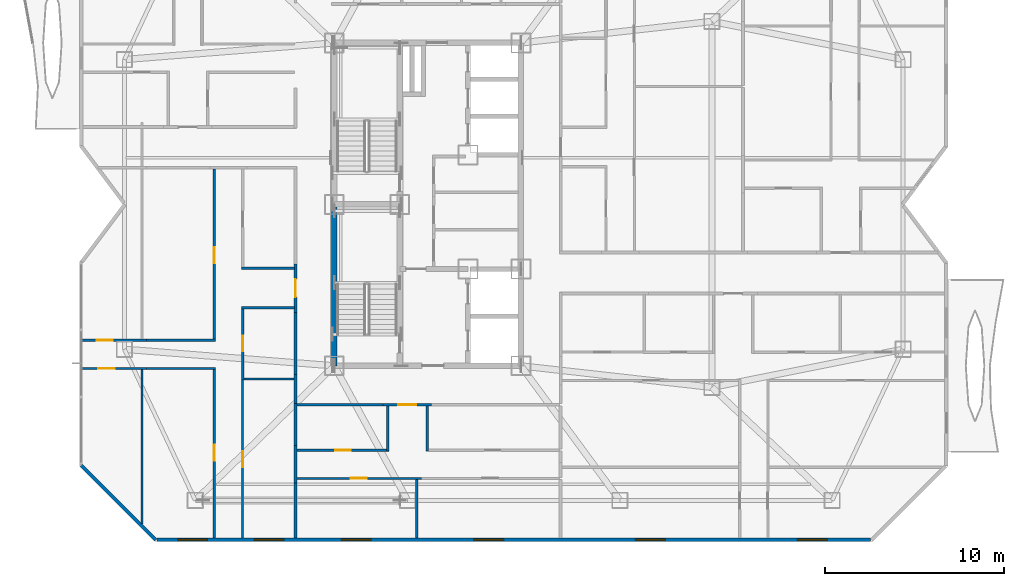
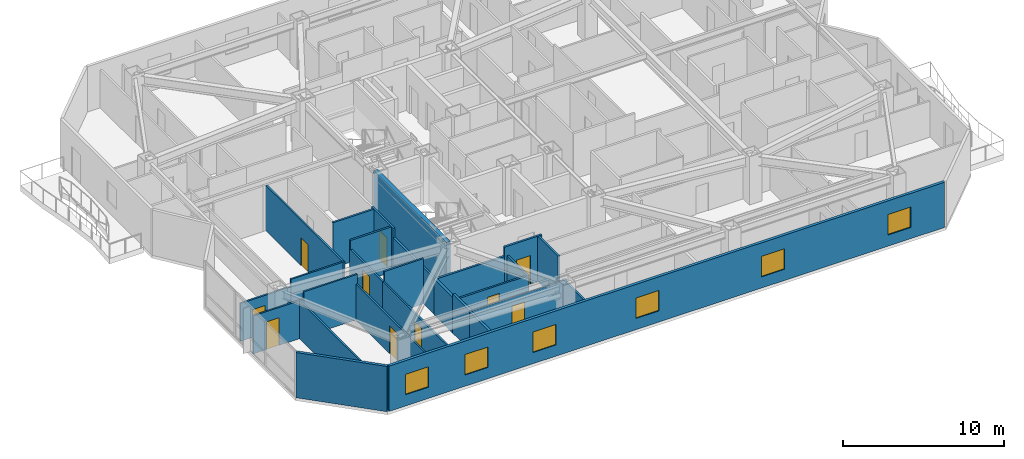
# One storey, part 10 of 17: 28 walls, 10 doors, 6 windows, 16 openings.
"""IFC4 building model written with IfcOpenShell, lengths in metres."""

from ifc_helpers import new_model, si_unit, direction, frame, frame_2d, origin, place, context, subcontext, project, spatial, rectangle, extrude, material, layer, layer_set, type_object, element, fill, save


model = new_model("IFC4")

# Units and contexts
model_context = context("Model", 3, precision=1e-05, world=origin(), true_north=direction((0.0, 1.0)))
body_context = subcontext(model_context, "Body", "Model", "MODEL_VIEW")
ifc_project = project(units=[si_unit("LENGTHUNIT", "METRE"), si_unit("AREAUNIT", "SQUARE_METRE"), si_unit("VOLUMEUNIT", "CUBIC_METRE"), si_unit("PLANEANGLEUNIT", "RADIAN"), si_unit("MASSUNIT", "GRAM", prefix="KILO")], contexts=[model_context])

# Site, building, storey
site_placement = place(None, origin())
site = spatial("IfcSite", under=ifc_project, at=site_placement, CompositionType="ELEMENT")
building_placement = place(site_placement, origin())
building = spatial("IfcBuilding", under=site, at=building_placement, Name="Khamvora Tower", CompositionType="ELEMENT")
storey_placement = place(building_placement, frame((0.0, 0.0, 192.39990234375)))
storey = spatial("IfcBuildingStorey", under=building, at=storey_placement, Name="L49", CompositionType="ELEMENT", Elevation=192.39990234375)

# Walls
ifc_material_1 = material(Name="Concrete C50/60", Category="concrete")
ifc_layer_1 = layer(ifc_material_1, 0.300048828125)
ifc_layer_set_1 = layer_set([ifc_layer_1], Name="Concrete C50/60")
wall_type_1 = type_object("IfcWallType", Name="WAL-CORE-300", PredefinedType="SHEAR", material=ifc_layer_set_1)
wall_1_placement = place(storey_placement, frame((29.0, 19.0, 0.0), z_axis=(0.0, 0.0, 1.0), x_axis=(0.0, 1.0, 0.0)))
element("IfcWall", 1, at=wall_1_placement, inside=storey, type_object=wall_type_1, Name="L49 central core west south wall", PredefinedType="SHEAR", context=body_context, shape_type="SweptSolid", body=[
    extrude(rectangle(XDim=9.0, YDim=0.300048828125, at=frame_2d((4.5, 0.0))), origin(), (0.0, 0.0, 1.0), 3.43017578125),
])
ifc_material_2 = material(Name="Fire-Rated Drywall and Steel Stud", Category="steel")
ifc_layer_2 = layer(ifc_material_2, 0.14990234375)
ifc_layer_set_2 = layer_set([ifc_layer_2], Name="Fire-Rated Drywall and Steel Stud")
wall_type_2 = type_object("IfcWallType", Name="WAL-CORR-150", PredefinedType="STANDARD", material=ifc_layer_set_2)
wall_2_placement = place(storey_placement, frame((26.8349609375, 16.89990234375, 0.0), z_axis=(0.0, 0.0, 1.0), x_axis=(0.0, 1.0, 0.0)))
element("IfcWall", 2, at=wall_2_placement, inside=storey, type_object=wall_type_2, Name="L49 interior partition wall 008", PredefinedType="STANDARD", context=body_context, shape_type="SweptSolid", body=[
    extrude(rectangle(XDim=1.6181640625, YDim=0.14990234375, at=frame_2d((0.80908203125, 0.0))), origin(), (0.0, 0.0, 1.0), 2.72509765625),
])

# Wall, opening, door
wall_3_placement = place(storey_placement, frame((26.8349609375, 21.985107421875, 0.0), z_axis=(0.0, 0.0, 1.0), x_axis=(0.0, 1.0, 0.0)))
wall_3 = element("IfcWall", 3, at=wall_3_placement, inside=storey, type_object=wall_type_2, Name="L49 interior partition wall 009", PredefinedType="STANDARD", context=body_context, shape_type="SweptSolid", body=[
    extrude(rectangle(XDim=2.697998046875, YDim=0.14990234375, at=frame_2d((1.34912109375, 0.0))), origin(), (0.0, 0.0, 1.0), 3.43017578125),
])
opening_1_placement = place(wall_3_placement, frame((0.84912109375, 0.0, 0.0)))
opening_1 = element("IfcOpeningElement", 4, at=opening_1_placement, cuts=wall_3, Name="Opening D-U1", PredefinedType="OPENING", context=body_context, shape_type="SweptSolid", body=[
    extrude(rectangle(XDim=1.0, YDim=2.14990234375, at=frame_2d((0.5, 1.074951171875))), frame((0.0, 0.0849609375, 0.0), z_axis=(0.0, -1.0, 0.0), x_axis=(1.0, 0.0, 0.0)), (0.0, 0.0, 1.0), 0.169921875),
])
ifc_material_3 = material(Name="Powder-Coated Steel and Hardwood Leaf", Category="steel")
door_type_1 = type_object("IfcDoorType", Name="DOR-UNIT-1000", OperationType="NOTDEFINED", PredefinedType="DOOR", material=ifc_material_3)
door_1_placement = place(opening_1_placement, origin())
door_1 = element("IfcDoor", 5, at=door_1_placement, inside=storey, type_object=door_type_1, Name="L49 interior door COR-49WAH", OperationType="SINGLE_SWING_LEFT", OverallHeight=2.14990234375, OverallWidth=1.0, PredefinedType="DOOR", context=body_context, shape_type="SweptSolid", body=[
    extrude(rectangle(XDim=1.0, YDim=2.14990234375, at=frame_2d((0.5, 1.074951171875))), frame((0.0, 0.02490234375, 0.0), z_axis=(0.0, -1.0, 0.0), x_axis=(1.0, 0.0, 0.0)), (0.0, 0.0, 1.0), 0.050048828125),
])
fill(opening_1, door_1)

# Wall
wall_4_placement = place(storey_placement, frame((26.8349609375, 18.51806640625, 0.0), z_axis=(0.0, 0.0, 1.0), x_axis=(0.0, 1.0, 0.0)))
element("IfcWall", 6, at=wall_4_placement, inside=storey, type_object=wall_type_2, Name="L49 interior partition wall 011", PredefinedType="STANDARD", context=body_context, shape_type="SweptSolid", body=[
    extrude(rectangle(XDim=3.467041015625, YDim=0.14990234375, at=frame_2d((1.7333984375, 0.0))), origin(), (0.0, 0.0, 1.0), 2.72509765625),
])

# Wall, opening, door
wall_5_placement = place(storey_placement, frame((34.424072265625, 16.8349609375, 0.0), z_axis=(0.0, 0.0, 1.0), x_axis=(-1.0, 0.0, 0.0)))
wall_5 = element("IfcWall", 7, at=wall_5_placement, inside=storey, type_object=wall_type_2, Name="L49 interior partition wall 020", PredefinedType="STANDARD", context=body_context, shape_type="SweptSolid", body=[
    extrude(rectangle(XDim=2.697998046875, YDim=0.14990234375, at=frame_2d((1.34912109375, 0.0))), origin(), (0.0, 0.0, 1.0), 3.43017578125),
])
opening_2_placement = place(wall_5_placement, frame((0.84912109375, 0.0, 0.0)))
opening_2 = element("IfcOpeningElement", 8, at=opening_2_placement, cuts=wall_5, Name="Opening D-U1", PredefinedType="OPENING", context=body_context, shape_type="SweptSolid", body=[
    extrude(rectangle(XDim=1.0, YDim=2.14990234375, at=frame_2d((0.5, 1.074951171875))), frame((0.0, 0.0849609375, 0.0), z_axis=(0.0, -1.0, 0.0), x_axis=(1.0, 0.0, 0.0)), (0.0, 0.0, 1.0), 0.169921875),
])
door_2_placement = place(opening_2_placement, origin())
door_2 = element("IfcDoor", 9, at=door_2_placement, inside=storey, type_object=door_type_1, Name="L49 interior door COR-49SAH", OperationType="SINGLE_SWING_LEFT", OverallHeight=2.14990234375, OverallWidth=1.0, PredefinedType="DOOR", context=body_context, shape_type="SweptSolid", body=[
    extrude(rectangle(XDim=1.0, YDim=2.14990234375, at=frame_2d((0.5, 1.074951171875))), frame((0.0, 0.02490234375, 0.0), z_axis=(0.0, -1.0, 0.0), x_axis=(1.0, 0.0, 0.0)), (0.0, 0.0, 1.0), 0.050048828125),
])
fill(opening_2, door_2)

# Walls
wall_6_placement = place(storey_placement, frame((31.72607421875, 16.8349609375, 0.0), z_axis=(0.0, 0.0, 1.0), x_axis=(-1.0, 0.0, 0.0)))
element("IfcWall", 10, at=wall_6_placement, inside=storey, type_object=wall_type_2, Name="L49 interior partition wall 021", PredefinedType="STANDARD", context=body_context, shape_type="SweptSolid", body=[
    extrude(rectangle(XDim=4.826171875, YDim=0.14990234375, at=frame_2d((2.4130859375, 0.0))), origin(), (0.0, 0.0, 1.0), 2.72509765625),
])
ifc_material_4 = material(Name="Acoustic Double-Stud Fire Wall", Category="gypsum")
ifc_layer_3 = layer(ifc_material_4, 0.179931640625)
ifc_layer_set_3 = layer_set([ifc_layer_3], Name="Acoustic Double-Stud Fire Wall")
wall_type_3 = type_object("IfcWallType", Name="WAL-CORR-180", PredefinedType="STANDARD", material=ifc_layer_set_3)
wall_7_placement = place(storey_placement, frame((26.8349609375, 14.553955078125, 0.0), z_axis=(0.0, 0.0, 1.0), x_axis=(0.0, -1.0, 0.0)))
element("IfcWall", 11, at=wall_7_placement, inside=storey, type_object=wall_type_3, Name="L49 interior partition wall 050", PredefinedType="STANDARD", context=body_context, shape_type="SweptSolid", body=[
    extrude(rectangle(XDim=2.077880859375, YDim=0.179931640625, at=frame_2d((1.0390625, 0.0))), origin(), (0.0, 0.0, 1.0), 2.961181640625),
])
wall_8_placement = place(storey_placement, frame((26.8349609375, 16.89990234375, 0.0), z_axis=(0.0, 0.0, 1.0), x_axis=(0.0, -1.0, 0.0)))
element("IfcWall", 12, at=wall_8_placement, inside=storey, type_object=wall_type_3, Name="L49 interior partition wall 051", PredefinedType="STANDARD", context=body_context, shape_type="SweptSolid", body=[
    extrude(rectangle(XDim=2.345947265625, YDim=0.179931640625, at=frame_2d((1.1728515625, 0.0))), origin(), (0.0, 0.0, 1.0), 2.72509765625),
])
wall_9_placement = place(storey_placement, frame((26.8349609375, 12.47607421875, 0.0), z_axis=(0.0, 0.0, 1.0), x_axis=(0.0, -1.0, 0.0)))
element("IfcWall", 13, at=wall_9_placement, inside=storey, type_object=wall_type_3, Name="L49 interior partition wall 052", PredefinedType="STANDARD", context=body_context, shape_type="SweptSolid", body=[
    extrude(rectangle(XDim=3.083984375, YDim=0.179931640625, at=frame_2d((1.5419921875, 0.0))), origin(), (0.0, 0.0, 1.0), 2.8759765625),
])
ifc_material_5 = material(Name="Precast concrete C40/50", Category="concrete")
ifc_layer_4 = layer(ifc_material_5, 0.199951171875)
ifc_layer_set_4 = layer_set([ifc_layer_4], Name="Precast concrete C40/50")
wall_type_4 = type_object("IfcWallType", Name="WAL-EXT-200", PredefinedType="STANDARD", material=ifc_layer_set_4)
wall_10_placement = place(storey_placement, frame((19.041015625, 9.300048828125, 0.0), z_axis=(0.0, 0.0, 1.0), x_axis=(-0.707127625344, 0.707085936414, 0.0)))
element("IfcWall", 14, at=wall_10_placement, inside=storey, type_object=wall_type_4, Name="L49 exterior facade wall 01.1", PredefinedType="STANDARD", context=body_context, shape_type="SweptSolid", body=[
    extrude(rectangle(XDim=5.856201171875, YDim=0.199951171875, at=frame_2d((2.92822265625, 0.0))), origin(), (0.0, 0.0, 1.0), 3.43017578125),
])

# Wall, openings, windows
wall_11_placement = place(storey_placement, frame((58.89599609375, 9.300048828125, 0.0), z_axis=(0.0, 0.0, 1.0), x_axis=(-1.0, 0.0, 0.0)))
wall_11 = element("IfcWall", 15, at=wall_11_placement, inside=storey, type_object=wall_type_4, Name="L49 exterior facade wall 14.1", PredefinedType="STANDARD", context=body_context, shape_type="SweptSolid", body=[
    extrude(rectangle(XDim=39.79296875, YDim=0.199951171875, at=frame_2d((19.896484375, 0.0))), origin(), (0.0, 0.0, 1.0), 3.43017578125),
])
opening_3_placement = place(wall_11_placement, frame((32.7080078125, 0.0, 0.85009765625)))
opening_3 = element("IfcOpeningElement", 16, at=opening_3_placement, cuts=wall_11, Name="Opening WN-06", PredefinedType="OPENING", context=body_context, shape_type="SweptSolid", body=[
    extrude(rectangle(XDim=1.64990234375, YDim=1.550048828125, at=frame_2d((0.824951171875, 0.77490234375))), frame((0.0, 0.10986328125, 0.0), z_axis=(0.0, -1.0, 0.0), x_axis=(1.0, 0.0, 0.0)), (0.0, 0.0, 1.0), 0.219970703125),
])
opening_4_placement = place(wall_11_placement, frame((36.971923828125, 0.0, 0.85009765625)))
opening_4 = element("IfcOpeningElement", 17, at=opening_4_placement, cuts=wall_11, Name="Opening WN-06", PredefinedType="OPENING", context=body_context, shape_type="SweptSolid", body=[
    extrude(rectangle(XDim=1.64990234375, YDim=1.550048828125, at=frame_2d((0.824951171875, 0.77490234375))), frame((0.0, 0.10986328125, 0.0), z_axis=(0.0, -1.0, 0.0), x_axis=(1.0, 0.0, 0.0)), (0.0, 0.0, 1.0), 0.219970703125),
])
opening_5_placement = place(wall_11_placement, frame((27.85400390625, 0.0, 0.85009765625)))
opening_5 = element("IfcOpeningElement", 18, at=opening_5_placement, cuts=wall_11, Name="Opening WN-06", PredefinedType="OPENING", context=body_context, shape_type="SweptSolid", body=[
    extrude(rectangle(XDim=1.64990234375, YDim=1.550048828125, at=frame_2d((0.824951171875, 0.77490234375))), frame((0.0, 0.10986328125, 0.0), z_axis=(0.0, -1.0, 0.0), x_axis=(1.0, 0.0, 0.0)), (0.0, 0.0, 1.0), 0.219970703125),
])
opening_6_placement = place(wall_11_placement, frame((20.464111328125, 0.0, 0.85009765625)))
opening_6 = element("IfcOpeningElement", 19, at=opening_6_placement, cuts=wall_11, Name="Opening WN-06", PredefinedType="OPENING", context=body_context, shape_type="SweptSolid", body=[
    extrude(rectangle(XDim=1.64990234375, YDim=1.550048828125, at=frame_2d((0.824951171875, 0.77490234375))), frame((0.0, 0.10986328125, 0.0), z_axis=(0.0, -1.0, 0.0), x_axis=(1.0, 0.0, 0.0)), (0.0, 0.0, 1.0), 0.219970703125),
])
opening_7_placement = place(wall_11_placement, frame((11.462890625, 0.0, 0.85009765625)))
opening_7 = element("IfcOpeningElement", 20, at=opening_7_placement, cuts=wall_11, Name="Opening WN-06", PredefinedType="OPENING", context=body_context, shape_type="SweptSolid", body=[
    extrude(rectangle(XDim=1.64990234375, YDim=1.550048828125, at=frame_2d((0.824951171875, 0.77490234375))), frame((0.0, 0.10986328125, 0.0), z_axis=(0.0, -1.0, 0.0), x_axis=(1.0, 0.0, 0.0)), (0.0, 0.0, 1.0), 0.219970703125),
])
opening_8_placement = place(wall_11_placement, frame((2.429931640625, 0.0, 0.85009765625)))
opening_8 = element("IfcOpeningElement", 21, at=opening_8_placement, cuts=wall_11, Name="Opening WN-06", PredefinedType="OPENING", context=body_context, shape_type="SweptSolid", body=[
    extrude(rectangle(XDim=1.64990234375, YDim=1.550048828125, at=frame_2d((0.824951171875, 0.77490234375))), frame((0.0, 0.10986328125, 0.0), z_axis=(0.0, -1.0, 0.0), x_axis=(1.0, 0.0, 0.0)), (0.0, 0.0, 1.0), 0.219970703125),
])
ifc_material_6 = material(Name="Low-E Laminated Double Glazing", Category="glass")
window_type = type_object("IfcWindowType", Name="WIN-VIS-1650x1550", PartitioningType="SINGLE_PANEL", PredefinedType="WINDOW", material=ifc_material_6)
window_1_placement = place(opening_3_placement, origin())
window_1 = element("IfcWindow", 22, at=window_1_placement, inside=storey, type_object=window_type, Name="L49 vision window 14.1.01", OverallHeight=1.550048828125, OverallWidth=1.64990234375, PartitioningType="SINGLE_PANEL", PredefinedType="WINDOW", context=body_context, shape_type="SweptSolid", body=[
    extrude(rectangle(XDim=1.64990234375, YDim=1.550048828125, at=frame_2d((0.824951171875, 0.77490234375))), frame((0.0, 0.030029296875, 0.0), z_axis=(0.0, -1.0, 0.0), x_axis=(1.0, 0.0, 0.0)), (0.0, 0.0, 1.0), 0.06005859375),
])
fill(opening_3, window_1)
window_2_placement = place(opening_4_placement, origin())
window_2 = element("IfcWindow", 23, at=window_2_placement, inside=storey, type_object=window_type, Name="L49 vision window 14.1.02", OverallHeight=1.550048828125, OverallWidth=1.64990234375, PartitioningType="SINGLE_PANEL", PredefinedType="WINDOW", context=body_context, shape_type="SweptSolid", body=[
    extrude(rectangle(XDim=1.64990234375, YDim=1.550048828125, at=frame_2d((0.824951171875, 0.77490234375))), frame((0.0, 0.030029296875, 0.0), z_axis=(0.0, -1.0, 0.0), x_axis=(1.0, 0.0, 0.0)), (0.0, 0.0, 1.0), 0.06005859375),
])
fill(opening_4, window_2)
window_3_placement = place(opening_5_placement, origin())
window_3 = element("IfcWindow", 24, at=window_3_placement, inside=storey, type_object=window_type, Name="L49 vision window 14.1.03", OverallHeight=1.550048828125, OverallWidth=1.64990234375, PartitioningType="SINGLE_PANEL", PredefinedType="WINDOW", context=body_context, shape_type="SweptSolid", body=[
    extrude(rectangle(XDim=1.64990234375, YDim=1.550048828125, at=frame_2d((0.824951171875, 0.77490234375))), frame((0.0, 0.030029296875, 0.0), z_axis=(0.0, -1.0, 0.0), x_axis=(1.0, 0.0, 0.0)), (0.0, 0.0, 1.0), 0.06005859375),
])
fill(opening_5, window_3)
window_4_placement = place(opening_6_placement, origin())
window_4 = element("IfcWindow", 25, at=window_4_placement, inside=storey, type_object=window_type, Name="L49 vision window 14.1.04", OverallHeight=1.550048828125, OverallWidth=1.64990234375, PartitioningType="SINGLE_PANEL", PredefinedType="WINDOW", context=body_context, shape_type="SweptSolid", body=[
    extrude(rectangle(XDim=1.64990234375, YDim=1.550048828125, at=frame_2d((0.824951171875, 0.77490234375))), frame((0.0, 0.030029296875, 0.0), z_axis=(0.0, -1.0, 0.0), x_axis=(1.0, 0.0, 0.0)), (0.0, 0.0, 1.0), 0.06005859375),
])
fill(opening_6, window_4)
window_5_placement = place(opening_7_placement, origin())
window_5 = element("IfcWindow", 26, at=window_5_placement, inside=storey, type_object=window_type, Name="L49 vision window 14.1.05", OverallHeight=1.550048828125, OverallWidth=1.64990234375, PartitioningType="SINGLE_PANEL", PredefinedType="WINDOW", context=body_context, shape_type="SweptSolid", body=[
    extrude(rectangle(XDim=1.64990234375, YDim=1.550048828125, at=frame_2d((0.824951171875, 0.77490234375))), frame((0.0, 0.030029296875, 0.0), z_axis=(0.0, -1.0, 0.0), x_axis=(1.0, 0.0, 0.0)), (0.0, 0.0, 1.0), 0.06005859375),
])
fill(opening_7, window_5)
window_6_placement = place(opening_8_placement, origin())
window_6 = element("IfcWindow", 27, at=window_6_placement, inside=storey, type_object=window_type, Name="L49 vision window 14.1.06", OverallHeight=1.550048828125, OverallWidth=1.64990234375, PartitioningType="SINGLE_PANEL", PredefinedType="WINDOW", context=body_context, shape_type="SweptSolid", body=[
    extrude(rectangle(XDim=1.64990234375, YDim=1.550048828125, at=frame_2d((0.824951171875, 0.77490234375))), frame((0.0, 0.030029296875, 0.0), z_axis=(0.0, -1.0, 0.0), x_axis=(1.0, 0.0, 0.0)), (0.0, 0.0, 1.0), 0.06005859375),
])
fill(opening_8, window_6)

# Wall, opening, door
ifc_material_7 = material(Name="Gypsum Plasterboard Partition", Category="gypsum")
ifc_layer_5 = layer(ifc_material_7, 0.1201171875)
ifc_layer_set_5 = layer_set([ifc_layer_5], Name="Gypsum Plasterboard Partition")
wall_type_5 = type_object("IfcWallType", Name="WAL-PART-120", PredefinedType="PARTITIONING", material=ifc_layer_set_5)
wall_12_placement = place(storey_placement, frame((23.889892578125, 9.39208984375, 0.0), z_axis=(0.0, 0.0, 1.0), x_axis=(0.0, 1.0, 0.0)))
wall_12 = element("IfcWall", 28, at=wall_12_placement, inside=storey, type_object=wall_type_5, Name="L49 interior partition wall 048", PredefinedType="PARTITIONING", context=body_context, shape_type="SweptSolid", body=[
    extrude(rectangle(XDim=8.81201171875, YDim=0.1201171875, at=frame_2d((4.406005859375, 0.0))), origin(), (0.0, 0.0, 1.0), 2.72509765625),
])
opening_9_placement = place(wall_12_placement, frame((3.9560546875, 0.0, 0.0)))
opening_9 = element("IfcOpeningElement", 29, at=opening_9_placement, cuts=wall_12, Name="Opening D-RM1", PredefinedType="OPENING", context=body_context, shape_type="SweptSolid", body=[
    extrude(rectangle(XDim=0.89990234375, YDim=2.10009765625, at=frame_2d((0.449951171875, 1.050048828125))), frame((0.0, 0.070068359375, 0.0), z_axis=(0.0, -1.0, 0.0), x_axis=(1.0, 0.0, 0.0)), (0.0, 0.0, 1.0), 0.14013671875),
])
door_type_2 = type_object("IfcDoorType", Name="DOR-ROOM-900", OperationType="NOTDEFINED", PredefinedType="DOOR", material=ifc_material_3)
door_3_placement = place(opening_9_placement, origin())
door_3 = element("IfcDoor", 30, at=door_3_placement, inside=storey, type_object=door_type_2, Name="L49 interior door 49WAW1-49WAH", OperationType="SINGLE_SWING_RIGHT", OverallHeight=2.10009765625, OverallWidth=0.89990234375, PredefinedType="DOOR", context=body_context, shape_type="SweptSolid", body=[
    extrude(rectangle(XDim=0.89990234375, YDim=2.10009765625, at=frame_2d((0.449951171875, 1.050048828125))), frame((0.0, 0.02490234375, 0.0), z_axis=(0.0, -1.0, 0.0), x_axis=(1.0, 0.0, 0.0)), (0.0, 0.0, 1.0), 0.050048828125),
])
fill(opening_9, door_3)

wall_13_placement = place(storey_placement, frame((18.52294921875, 18.85498046875, 0.0), z_axis=(0.0, 0.0, 1.0), x_axis=(-1.0, 0.0, 0.0)))
wall_13 = element("IfcWall", 31, at=wall_13_placement, inside=storey, type_object=wall_type_5, Name="L49 interior partition wall 057", PredefinedType="PARTITIONING", context=body_context, shape_type="SweptSolid", body=[
    extrude(rectangle(XDim=3.613037109375, YDim=0.1201171875, at=frame_2d((1.806640625, 0.0))), origin(), (0.0, 0.0, 1.0), 2.8759765625),
])
opening_10_placement = place(wall_13_placement, frame((1.76904296875, 0.0, 0.0)))
opening_10 = element("IfcOpeningElement", 32, at=opening_10_placement, cuts=wall_13, Name="Opening D-RM1", PredefinedType="OPENING", context=body_context, shape_type="SweptSolid", body=[
    extrude(rectangle(XDim=0.89990234375, YDim=2.10009765625, at=frame_2d((0.449951171875, 1.050048828125))), frame((0.0, 0.070068359375, 0.0), z_axis=(0.0, -1.0, 0.0), x_axis=(1.0, 0.0, 0.0)), (0.0, 0.0, 1.0), 0.14013671875),
])
door_4_placement = place(opening_10_placement, origin())
door_4 = element("IfcDoor", 33, at=door_4_placement, inside=storey, type_object=door_type_2, Name="L49 interior door 49WAH-49WAL", OperationType="SINGLE_SWING_RIGHT", OverallHeight=2.10009765625, OverallWidth=0.89990234375, PredefinedType="DOOR", context=body_context, shape_type="SweptSolid", body=[
    extrude(rectangle(XDim=0.89990234375, YDim=2.10009765625, at=frame_2d((0.449951171875, 1.050048828125))), frame((0.0, 0.02490234375, 0.0), z_axis=(0.0, -1.0, 0.0), x_axis=(1.0, 0.0, 0.0)), (0.0, 0.0, 1.0), 0.050048828125),
])
fill(opening_10, door_4)

wall_14_placement = place(storey_placement, frame((22.31005859375, 9.39208984375, 0.0), z_axis=(0.0, 0.0, 1.0), x_axis=(0.0, 1.0, 0.0)))
wall_14 = element("IfcWall", 34, at=wall_14_placement, inside=storey, type_object=wall_type_5, Name="L49 interior partition wall 058", PredefinedType="PARTITIONING", context=body_context, shape_type="SweptSolid", body=[
    extrude(rectangle(XDim=9.52783203125, YDim=0.1201171875, at=frame_2d((4.763916015625, 0.0))), origin(), (0.0, 0.0, 1.0), 2.72509765625),
])
opening_11_placement = place(wall_14_placement, frame((4.31396484375, 0.0, 0.0)))
opening_11 = element("IfcOpeningElement", 35, at=opening_11_placement, cuts=wall_14, Name="Opening D-RM1", PredefinedType="OPENING", context=body_context, shape_type="SweptSolid", body=[
    extrude(rectangle(XDim=0.89990234375, YDim=2.10009765625, at=frame_2d((0.449951171875, 1.050048828125))), frame((0.0, 0.070068359375, 0.0), z_axis=(0.0, -1.0, 0.0), x_axis=(1.0, 0.0, 0.0)), (0.0, 0.0, 1.0), 0.14013671875),
])
door_5_placement = place(opening_11_placement, origin())
door_5 = element("IfcDoor", 36, at=door_5_placement, inside=storey, type_object=door_type_2, Name="L49 interior door 49WAH-49WAR2", OperationType="SINGLE_SWING_RIGHT", OverallHeight=2.10009765625, OverallWidth=0.89990234375, PredefinedType="DOOR", context=body_context, shape_type="SweptSolid", body=[
    extrude(rectangle(XDim=0.89990234375, YDim=2.10009765625, at=frame_2d((0.449951171875, 1.050048828125))), frame((0.0, 0.02490234375, 0.0), z_axis=(0.0, -1.0, 0.0), x_axis=(1.0, 0.0, 0.0)), (0.0, 0.0, 1.0), 0.050048828125),
])
fill(opening_11, door_5)

# Wall
wall_15_placement = place(storey_placement, frame((22.375, 18.85498046875, 0.0), z_axis=(0.0, 0.0, 1.0), x_axis=(-1.0, 0.0, 0.0)))
element("IfcWall", 37, at=wall_15_placement, inside=storey, type_object=wall_type_5, Name="L49 interior partition wall 059", PredefinedType="PARTITIONING", context=body_context, shape_type="SweptSolid", body=[
    extrude(rectangle(XDim=3.85205078125, YDim=0.1201171875, at=frame_2d((1.926025390625, 0.0))), origin(), (0.0, 0.0, 1.0), 3.43017578125),
])

# Wall, opening, door
wall_16_placement = place(storey_placement, frame((14.909912109375, 20.425048828125, 0.0), z_axis=(0.0, 0.0, 1.0), x_axis=(1.0, 0.0, 0.0)))
wall_16 = element("IfcWall", 38, at=wall_16_placement, inside=storey, type_object=wall_type_5, Name="L49 interior partition wall 060", PredefinedType="PARTITIONING", context=body_context, shape_type="SweptSolid", body=[
    extrude(rectangle(XDim=3.613037109375, YDim=0.1201171875, at=frame_2d((1.806640625, 0.0))), origin(), (0.0, 0.0, 1.0), 2.8759765625),
])
opening_12_placement = place(wall_16_placement, frame((0.846923828125, 0.0, 0.0)))
opening_12 = element("IfcOpeningElement", 39, at=opening_12_placement, cuts=wall_16, Name="Opening D-RM1", PredefinedType="OPENING", context=body_context, shape_type="SweptSolid", body=[
    extrude(rectangle(XDim=0.89990234375, YDim=2.10009765625, at=frame_2d((0.449951171875, 1.050048828125))), frame((0.0, 0.070068359375, 0.0), z_axis=(0.0, -1.0, 0.0), x_axis=(1.0, 0.0, 0.0)), (0.0, 0.0, 1.0), 0.14013671875),
])
door_6_placement = place(opening_12_placement, origin())
door_6 = element("IfcDoor", 40, at=door_6_placement, inside=storey, type_object=door_type_2, Name="L49 interior door 49WAH-49WAR3", OperationType="SINGLE_SWING_LEFT", OverallHeight=2.10009765625, OverallWidth=0.89990234375, PredefinedType="DOOR", context=body_context, shape_type="SweptSolid", body=[
    extrude(rectangle(XDim=0.89990234375, YDim=2.10009765625, at=frame_2d((0.449951171875, 1.050048828125))), frame((0.0, 0.02490234375, 0.0), z_axis=(0.0, -1.0, 0.0), x_axis=(1.0, 0.0, 0.0)), (0.0, 0.0, 1.0), 0.050048828125),
])
fill(opening_12, door_6)

# Wall
wall_17_placement = place(storey_placement, frame((18.52294921875, 20.425048828125, 0.0), z_axis=(0.0, 0.0, 1.0), x_axis=(1.0, 0.0, 0.0)))
element("IfcWall", 41, at=wall_17_placement, inside=storey, type_object=wall_type_5, Name="L49 interior partition wall 061", PredefinedType="PARTITIONING", context=body_context, shape_type="SweptSolid", body=[
    extrude(rectangle(XDim=3.85205078125, YDim=0.1201171875, at=frame_2d((1.926025390625, 0.0))), origin(), (0.0, 0.0, 1.0), 3.43017578125),
])

# Wall, opening, door
wall_18_placement = place(storey_placement, frame((22.31005859375, 20.360107421875, 0.0), z_axis=(0.0, 0.0, 1.0), x_axis=(0.0, 1.0, 0.0)))
wall_18 = element("IfcWall", 42, at=wall_18_placement, inside=storey, type_object=wall_type_5, Name="L49 interior partition wall 062", PredefinedType="PARTITIONING", context=body_context, shape_type="SweptSolid", body=[
    extrude(rectangle(XDim=9.60986328125, YDim=0.1201171875, at=frame_2d((4.804931640625, 0.0))), origin(), (0.0, 0.0, 1.0), 3.43017578125),
])
opening_13_placement = place(wall_18_placement, frame((4.35498046875, 0.0, 0.0)))
opening_13 = element("IfcOpeningElement", 43, at=opening_13_placement, cuts=wall_18, Name="Opening D-RM1", PredefinedType="OPENING", context=body_context, shape_type="SweptSolid", body=[
    extrude(rectangle(XDim=0.89990234375, YDim=2.10009765625, at=frame_2d((0.449951171875, 1.050048828125))), frame((0.0, 0.070068359375, 0.0), z_axis=(0.0, -1.0, 0.0), x_axis=(1.0, 0.0, 0.0)), (0.0, 0.0, 1.0), 0.14013671875),
])
door_7_placement = place(opening_13_placement, origin())
door_7 = element("IfcDoor", 44, at=door_7_placement, inside=storey, type_object=door_type_2, Name="L49 interior door 49WAH-49WAR4", OperationType="SINGLE_SWING_LEFT", OverallHeight=2.10009765625, OverallWidth=0.89990234375, PredefinedType="DOOR", context=body_context, shape_type="SweptSolid", body=[
    extrude(rectangle(XDim=0.89990234375, YDim=2.10009765625, at=frame_2d((0.449951171875, 1.050048828125))), frame((0.0, 0.02490234375, 0.0), z_axis=(0.0, -1.0, 0.0), x_axis=(1.0, 0.0, 0.0)), (0.0, 0.0, 1.0), 0.050048828125),
])
fill(opening_13, door_7)

# Wall
wall_19_placement = place(storey_placement, frame((18.27392578125, 18.801025390625, 0.0), z_axis=(0.0, 0.0, 1.0), x_axis=(0.0, -1.0, 0.0)))
element("IfcWall", 45, at=wall_19_placement, inside=storey, type_object=wall_type_5, Name="L49 interior partition wall 063", PredefinedType="PARTITIONING", context=body_context, shape_type="SweptSolid", body=[
    extrude(rectangle(XDim=8.619140625, YDim=0.1201171875, at=frame_2d((4.3095703125, 0.0))), origin(), (0.0, 0.0, 1.0), 2.8759765625),
])

# Wall, opening, door
wall_20_placement = place(storey_placement, frame((33.847900390625, 12.72509765625, 0.0), z_axis=(0.0, 0.0, 1.0), x_axis=(-1.0, 0.0, 0.0)))
wall_20 = element("IfcWall", 46, at=wall_20_placement, inside=storey, type_object=wall_type_5, Name="L49 interior partition wall 077", PredefinedType="PARTITIONING", context=body_context, shape_type="SweptSolid", body=[
    extrude(rectangle(XDim=6.930908203125, YDim=0.1201171875, at=frame_2d((3.46533203125, 0.0))), origin(), (0.0, 0.0, 1.0), 2.72509765625),
])
opening_14_placement = place(wall_20_placement, frame((3.035888671875, 0.0, 0.0)))
opening_14 = element("IfcOpeningElement", 47, at=opening_14_placement, cuts=wall_20, Name="Opening D-RM1", PredefinedType="OPENING", context=body_context, shape_type="SweptSolid", body=[
    extrude(rectangle(XDim=0.89990234375, YDim=2.10009765625, at=frame_2d((0.449951171875, 1.050048828125))), frame((0.0, 0.070068359375, 0.0), z_axis=(0.0, -1.0, 0.0), x_axis=(1.0, 0.0, 0.0)), (0.0, 0.0, 1.0), 0.14013671875),
])
door_8_placement = place(opening_14_placement, origin())
door_8 = element("IfcDoor", 48, at=door_8_placement, inside=storey, type_object=door_type_2, Name="L49 interior door 49SAH-49SAL", OperationType="SINGLE_SWING_LEFT", OverallHeight=2.10009765625, OverallWidth=0.89990234375, PredefinedType="DOOR", context=body_context, shape_type="SweptSolid", body=[
    extrude(rectangle(XDim=0.89990234375, YDim=2.10009765625, at=frame_2d((0.449951171875, 1.050048828125))), frame((0.0, 0.02490234375, 0.0), z_axis=(0.0, -1.0, 0.0), x_axis=(1.0, 0.0, 0.0)), (0.0, 0.0, 1.0), 0.050048828125),
])
fill(opening_14, door_8)

# Walls
wall_21_placement = place(storey_placement, frame((33.59912109375, 12.6708984375, 0.0), z_axis=(0.0, 0.0, 1.0), x_axis=(0.0, -1.0, 0.0)))
element("IfcWall", 49, at=wall_21_placement, inside=storey, type_object=wall_type_5, Name="L49 interior partition wall 082", PredefinedType="PARTITIONING", context=body_context, shape_type="SweptSolid", body=[
    extrude(rectangle(XDim=3.27880859375, YDim=0.1201171875, at=frame_2d((1.639404296875, 0.0))), origin(), (0.0, 0.0, 1.0), 2.8759765625),
])
ifc_material_8 = material(Name="Moisture-Resistant Plasterboard Partition", Category="gypsum")
ifc_layer_6 = layer(ifc_material_8, 0.135009765625)
ifc_layer_set_6 = layer_set([ifc_layer_6], Name="Moisture-Resistant Plasterboard Partition")
wall_type_6 = type_object("IfcWallType", Name="WAL-WET-135", PredefinedType="PARTITIONING", material=ifc_layer_set_6)
wall_22_placement = place(storey_placement, frame((23.955078125, 18.26904296875, 0.0), z_axis=(0.0, 0.0, 1.0), x_axis=(1.0, 0.0, 0.0)))
element("IfcWall", 50, at=wall_22_placement, inside=storey, type_object=wall_type_6, Name="L49 interior partition wall 049", PredefinedType="PARTITIONING", context=body_context, shape_type="SweptSolid", body=[
    extrude(rectangle(XDim=2.81494140625, YDim=0.135009765625, at=frame_2d((1.407470703125, 0.0))), origin(), (0.0, 0.0, 1.0), 3.43017578125),
])
wall_23_placement = place(storey_placement, frame((26.77001953125, 22.23388671875, 0.0), z_axis=(0.0, 0.0, 1.0), x_axis=(-1.0, 0.0, 0.0)))
element("IfcWall", 51, at=wall_23_placement, inside=storey, type_object=wall_type_6, Name="L49 interior partition wall 053", PredefinedType="PARTITIONING", context=body_context, shape_type="SweptSolid", body=[
    extrude(rectangle(XDim=2.945068359375, YDim=0.135009765625, at=frame_2d((1.47265625, 0.0))), origin(), (0.0, 0.0, 1.0), 3.43017578125),
])

# Wall, opening, door
wall_24_placement = place(storey_placement, frame((23.889892578125, 22.299072265625, 0.0), z_axis=(0.0, 0.0, 1.0), x_axis=(0.0, -1.0, 0.0)))
wall_24 = element("IfcWall", 52, at=wall_24_placement, inside=storey, type_object=wall_type_6, Name="L49 interior partition wall 054", PredefinedType="PARTITIONING", context=body_context, shape_type="SweptSolid", body=[
    extrude(rectangle(XDim=4.094970703125, YDim=0.135009765625, at=frame_2d((2.04736328125, 0.0))), origin(), (0.0, 0.0, 1.0), 2.72509765625),
])
opening_15_placement = place(wall_24_placement, frame((1.6220703125, 0.0, 0.0)))
opening_15 = element("IfcOpeningElement", 53, at=opening_15_placement, cuts=wall_24, Name="Opening D-WC1", PredefinedType="OPENING", context=body_context, shape_type="SweptSolid", body=[
    extrude(rectangle(XDim=0.85009765625, YDim=2.10009765625, at=frame_2d((0.425048828125, 1.050048828125))), frame((0.0, 0.077392578125, 0.0), z_axis=(0.0, -1.0, 0.0), x_axis=(1.0, 0.0, 0.0)), (0.0, 0.0, 1.0), 0.155029296875),
])
door_type_3 = type_object("IfcDoorType", Name="DOR-WET-850", OperationType="NOTDEFINED", PredefinedType="DOOR", material=ifc_material_3)
door_9_placement = place(opening_15_placement, origin())
door_9 = element("IfcDoor", 54, at=door_9_placement, inside=storey, type_object=door_type_3, Name="L49 interior door 49WAH-49WAB", OperationType="SINGLE_SWING_LEFT", OverallHeight=2.10009765625, OverallWidth=0.85009765625, PredefinedType="DOOR", context=body_context, shape_type="SweptSolid", body=[
    extrude(rectangle(XDim=0.85009765625, YDim=2.10009765625, at=frame_2d((0.425048828125, 1.050048828125))), frame((0.0, 0.02490234375, 0.0), z_axis=(0.0, -1.0, 0.0), x_axis=(1.0, 0.0, 0.0)), (0.0, 0.0, 1.0), 0.050048828125),
])
fill(opening_15, door_9)

# Wall
wall_25_placement = place(storey_placement, frame((23.824951171875, 24.43408203125, 0.0), z_axis=(0.0, 0.0, 1.0), x_axis=(1.0, 0.0, 0.0)))
element("IfcWall", 55, at=wall_25_placement, inside=storey, type_object=wall_type_6, Name="L49 interior partition wall 056", PredefinedType="PARTITIONING", context=body_context, shape_type="SweptSolid", body=[
    extrude(rectangle(XDim=2.945068359375, YDim=0.135009765625, at=frame_2d((1.47265625, 0.0))), origin(), (0.0, 0.0, 1.0), 3.43017578125),
])

# Wall, opening, door
wall_26_placement = place(storey_placement, frame((26.9169921875, 14.304931640625, 0.0), z_axis=(0.0, 0.0, 1.0), x_axis=(1.0, 0.0, 0.0)))
wall_26 = element("IfcWall", 56, at=wall_26_placement, inside=storey, type_object=wall_type_6, Name="L49 interior partition wall 073", PredefinedType="PARTITIONING", context=body_context, shape_type="SweptSolid", body=[
    extrude(rectangle(XDim=5.123046875, YDim=0.135009765625, at=frame_2d((2.5615234375, 0.0))), origin(), (0.0, 0.0, 1.0), 2.72509765625),
])
opening_16_placement = place(wall_26_placement, frame((2.136962890625, 0.0, 0.0)))
opening_16 = element("IfcOpeningElement", 57, at=opening_16_placement, cuts=wall_26, Name="Opening D-WC1", PredefinedType="OPENING", context=body_context, shape_type="SweptSolid", body=[
    extrude(rectangle(XDim=0.85009765625, YDim=2.10009765625, at=frame_2d((0.425048828125, 1.050048828125))), frame((0.0, 0.077392578125, 0.0), z_axis=(0.0, -1.0, 0.0), x_axis=(1.0, 0.0, 0.0)), (0.0, 0.0, 1.0), 0.155029296875),
])
door_10_placement = place(opening_16_placement, origin())
door_10 = element("IfcDoor", 58, at=door_10_placement, inside=storey, type_object=door_type_3, Name="L49 interior door 49SAH-49SAB", OperationType="SINGLE_SWING_LEFT", OverallHeight=2.10009765625, OverallWidth=0.85009765625, PredefinedType="DOOR", context=body_context, shape_type="SweptSolid", body=[
    extrude(rectangle(XDim=0.85009765625, YDim=2.10009765625, at=frame_2d((0.425048828125, 1.050048828125))), frame((0.0, 0.02490234375, 0.0), z_axis=(0.0, -1.0, 0.0), x_axis=(1.0, 0.0, 0.0)), (0.0, 0.0, 1.0), 0.050048828125),
])
fill(opening_16, door_10)

# Walls
wall_27_placement = place(storey_placement, frame((31.97509765625, 14.239990234375, 0.0), z_axis=(0.0, 0.0, 1.0), x_axis=(0.0, 1.0, 0.0)))
element("IfcWall", 59, at=wall_27_placement, inside=storey, type_object=wall_type_6, Name="L49 interior partition wall 074", PredefinedType="PARTITIONING", context=body_context, shape_type="SweptSolid", body=[
    extrude(rectangle(XDim=2.530029296875, YDim=0.135009765625, at=frame_2d((1.26513671875, 0.0))), origin(), (0.0, 0.0, 1.0), 2.72509765625),
])
wall_28_placement = place(storey_placement, frame((34.175048828125, 16.77001953125, 0.0), z_axis=(0.0, 0.0, 1.0), x_axis=(0.0, -1.0, 0.0)))
element("IfcWall", 60, at=wall_28_placement, inside=storey, type_object=wall_type_6, Name="L49 interior partition wall 075", PredefinedType="PARTITIONING", context=body_context, shape_type="SweptSolid", body=[
    extrude(rectangle(XDim=2.530029296875, YDim=0.135009765625, at=frame_2d((1.26513671875, 0.0))), origin(), (0.0, 0.0, 1.0), 3.43017578125),
])

save(model, "model.ifc")
